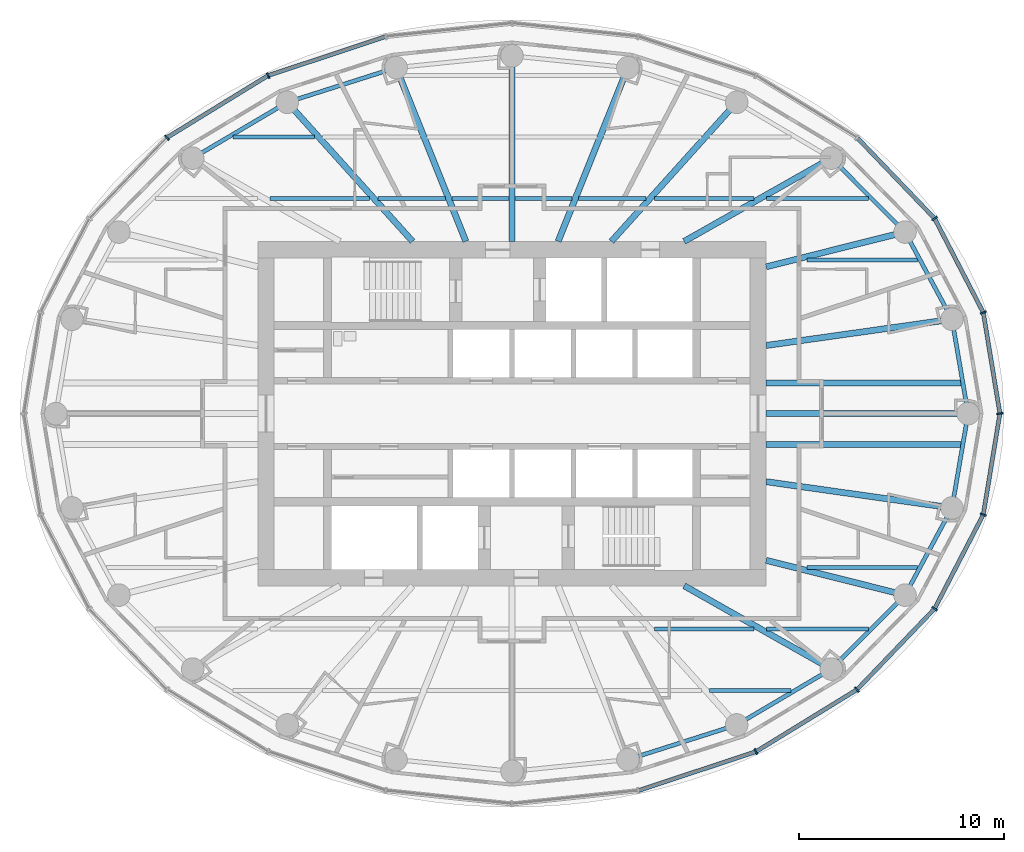
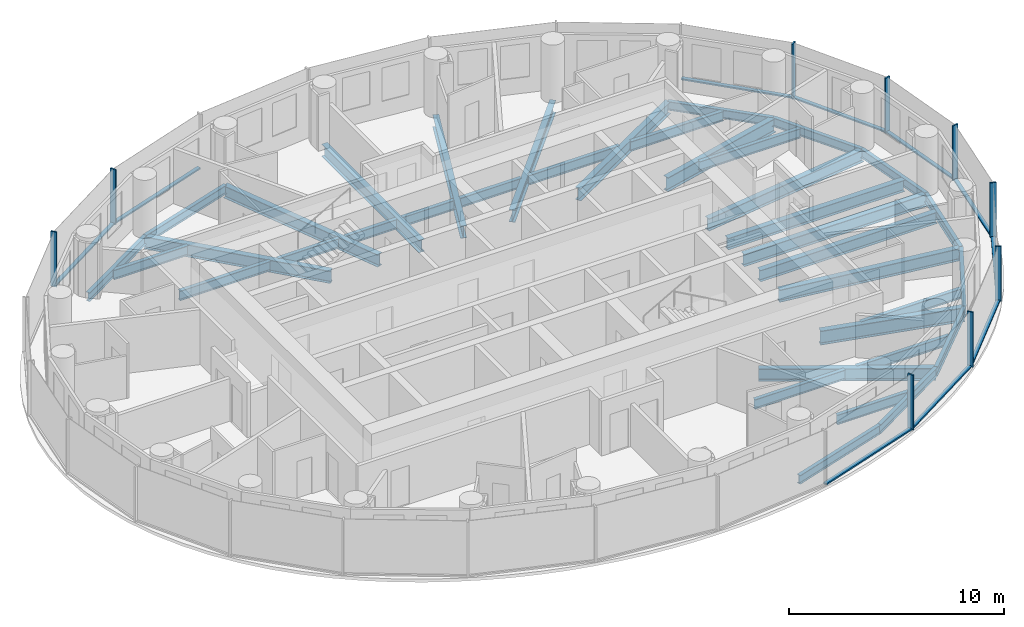
# One storey, part 3 of 16: 37 beams, 19 members, 3 elements without a shape of their own.
"""IFC4 building model written with IfcOpenShell, lengths in metres."""

import ifcopenshell
import ifcopenshell.guid

model = None  # the IFC model being written
_history = None  # IfcOwnerHistory: only IFC2X3 demands one
_inside = {}  # id of a spatial element -> (the spatial element, [elements in it])
_under = {}  # id of a project, library or spatial element -> (it, [spatial elements below it])
_declared = {}  # id of a project -> (the project, [libraries it declares])
_typed = {}  # id of a type object -> (the type object, [elements of that type])
_made_of = {}  # id of a material, layer set ... -> (it, [elements and type objects made of it])


def new_model(schema):
    """Start an empty IFC model of exactly this schema.

    Asked for "IFC4X3", IfcOpenShell would pick the latest addendum, in which some entities
    have other attributes; the version numbers below select the first issue.
    IFC2X3 requires an IfcOwnerHistory on every rooted entity: one is made here for all.
    """
    global model, _history
    if schema == "IFC4X3":
        model = ifcopenshell.file(schema_version=(4, 3, 0, 0))
    else:
        model = ifcopenshell.file(schema=schema)
    _inside.clear()
    _under.clear()
    _declared.clear()
    _typed.clear()
    _made_of.clear()
    _history = None
    if model.schema == "IFC2X3":
        org = make("IfcOrganization", Name="unknown")
        user = make(
            "IfcPersonAndOrganization",
            ThePerson=make("IfcPerson", FamilyName="unknown"),
            TheOrganization=org,
        )
        app = make(
            "IfcApplication",
            ApplicationDeveloper=org,
            Version="unknown",
            ApplicationFullName="unknown",
            ApplicationIdentifier="unknown",
        )
        _history = make(
            "IfcOwnerHistory",
            OwningUser=user,
            OwningApplication=app,
            ChangeAction="ADDED",
            CreationDate=0,
        )
    return model


def make(cls, **values):
    """One entity of the class cls with the attributes given. An attribute that is None is left unset."""
    return model.create_entity(
        cls, **{name: value for name, value in values.items() if value is not None}
    )


def rooted(cls, **values):
    """An entity with a GlobalId (a new one), such as an element, a storey or a relation."""
    return make(cls, GlobalId=ifcopenshell.guid.new(), OwnerHistory=_history, **values)


def si_unit(unit_type, name, prefix=None):
    """IfcSIUnit, for example si_unit("LENGTHUNIT", "METRE", prefix="MILLI")."""
    return make("IfcSIUnit", UnitType=unit_type, Prefix=prefix, Name=name)


def assignment(units):
    """IfcUnitAssignment: the units of a project."""
    return None if units is None else make("IfcUnitAssignment", Units=units)


def point(xyz):
    """IfcCartesianPoint."""
    return None if xyz is None else make("IfcCartesianPoint", Coordinates=xyz)


def direction(xyz):
    """IfcDirection."""
    return None if xyz is None else make("IfcDirection", DirectionRatios=xyz)


def frame(location, z_axis=None, x_axis=None):
    """IfcAxis2Placement3D, a coordinate frame: its origin and axes. An axis left out is left unset."""
    return make(
        "IfcAxis2Placement3D",
        Location=point(location),
        Axis=direction(z_axis),
        RefDirection=direction(x_axis),
    )


def frame_2d(location, x_axis=None):
    """IfcAxis2Placement2D, a coordinate frame in the plane: its origin and x axis."""
    return make(
        "IfcAxis2Placement2D", Location=point(location), RefDirection=direction(x_axis)
    )


def origin():
    """The frame at (0, 0, 0) with its axes left unset."""
    return frame((0.0, 0.0, 0.0))


def origin_2d():
    """The frame at (0, 0) in the plane with its x axis left unset."""
    return frame_2d((0.0, 0.0))


def place(relative_to, where):
    """IfcLocalPlacement: puts the frame where relative to a parent placement (None: the world)."""
    return make(
        "IfcLocalPlacement", PlacementRelTo=relative_to, RelativePlacement=where
    )


def context(
    kind, dimensions, precision=None, world=None, true_north=None, identifier=None
):
    """IfcGeometricRepresentationContext, for example the 3D "Model" context."""
    return make(
        "IfcGeometricRepresentationContext",
        ContextIdentifier=identifier,
        ContextType=kind,
        CoordinateSpaceDimension=dimensions,
        Precision=precision,
        WorldCoordinateSystem=world,
        TrueNorth=true_north,
    )


def subcontext(parent, identifier, kind, view, scale=None):
    """IfcGeometricRepresentationSubContext, for example "Body" below "Model"."""
    return make(
        "IfcGeometricRepresentationSubContext",
        ContextIdentifier=identifier,
        ContextType=kind,
        ParentContext=parent,
        TargetScale=scale,
        TargetView=view,
    )


def project(units=None, contexts=None):
    """IfcProject with its units and contexts."""
    return rooted(
        "IfcProject",
        Name="project",
        RepresentationContexts=contexts,
        UnitsInContext=assignment(units),
    )


def spatial(cls, under=None, at=None, **own):
    """A site, building, storey or space (cls), placed at a placement, below another one or the project."""
    s = rooted(cls, ObjectPlacement=at, **own)
    if under is not None:
        _under.setdefault(under.id(), (under, []))[1].append(s)
    return s


def profile(cls, at=None, kind="AREA", **sizes):
    """A parametric profile (cls). Its sizes go by their IFC names, for example OverallWidth=200.0."""
    return make(cls, ProfileType=kind, Position=at, **sizes)


def rectangle(**sizes):
    """IfcRectangleProfileDef."""
    return profile("IfcRectangleProfileDef", **sizes)


def i_section(**sizes):
    """IfcIShapeProfileDef."""
    return profile("IfcIShapeProfileDef", **sizes)


def extrude(swept, where, along, depth):
    """IfcExtrudedAreaSolid: the profile swept, set in the frame where, extruded along a direction by depth."""
    return make(
        "IfcExtrudedAreaSolid",
        SweptArea=swept,
        Position=where,
        ExtrudedDirection=direction(along),
        Depth=depth,
    )


def shape(context_of_items, identifier, shape_type, items):
    """IfcShapeRepresentation: the items that make up one representation, for example the "Body"."""
    return make(
        "IfcShapeRepresentation",
        ContextOfItems=context_of_items,
        RepresentationIdentifier=identifier,
        RepresentationType=shape_type,
        Items=items,
    )


def material(Name=None, Category=None):
    """IfcMaterial."""
    return make("IfcMaterial", Name=Name, Category=Category)


def material_profile(
    of_material, cross_section, Name=None, Category=None, Priority=None
):
    """IfcMaterialProfile: a cross section and its material."""
    return make(
        "IfcMaterialProfile",
        Name=Name,
        Material=of_material,
        Profile=cross_section,
        Priority=Priority,
        Category=Category,
    )


def profile_set(profiles, Name=None, composite=None):
    """IfcMaterialProfileSet."""
    return make(
        "IfcMaterialProfileSet",
        Name=Name,
        MaterialProfiles=profiles,
        CompositeProfile=composite,
    )


def made_of(thing, what):
    """Note that an element or type object is made of a material, layer set ...; save() writes the relation."""
    if what is not None:
        _made_of.setdefault(what.id(), (what, []))[1].append(thing)
    return thing


def type_object(cls, material=None, **own):
    """A type object (cls), such as IfcWallType, which elements share."""
    return made_of(rooted(cls, **own), material)


def element(
    cls,
    number,
    at=None,
    inside=None,
    cuts=None,
    type_object=None,
    material=None,
    context=None,
    identifier="Body",
    shape_type=None,
    held_by="IfcProductDefinitionShape",
    body=None,
    shapes=None,
    **own,
):
    """One element of the class cls, such as IfcWall. Its Tag is "e" and its number.

    at: its placement. inside: the storey or other place that contains it. cuts: it is an
    opening in that element (IfcRelVoidsElement). A single representation is given by context,
    identifier, shape_type and body (its items); several are given by shapes. held_by: the class
    of the entity that holds the representations. save() writes the other relations.
    """
    e = rooted(cls, Tag="e%d" % number, ObjectPlacement=at, **own)
    if body is not None:
        shapes = [shape(context, identifier, shape_type, body)]
    if shapes is not None:
        e.Representation = make(held_by, Representations=shapes)
    if inside is not None:
        _inside.setdefault(inside.id(), (inside, []))[1].append(e)
    if cuts is not None:
        rooted(
            "IfcRelVoidsElement", RelatingBuildingElement=cuts, RelatedOpeningElement=e
        )
    if type_object is not None:
        _typed.setdefault(type_object.id(), (type_object, []))[1].append(e)
    return made_of(e, material)


def aggregate(whole, parts):
    """IfcRelAggregates: a whole, such as a stair, and the parts it consists of."""
    return rooted("IfcRelAggregates", RelatingObject=whole, RelatedObjects=parts)


def save(model, path):
    """Write the relations noted so far, then the file.

    IfcRelAggregates (storeys below a building ...), IfcRelContainedInSpatialStructure (elements
    in a storey), IfcRelDefinesByType, IfcRelAssociatesMaterial and IfcRelDeclares: one each for
    every whole, place, type object, material and project.
    """
    for whole, parts in _under.values():
        aggregate(whole, parts)
    for where, things in _inside.values():
        rooted(
            "IfcRelContainedInSpatialStructure",
            RelatedElements=things,
            RelatingStructure=where,
        )
    for kind, things in _typed.values():
        rooted("IfcRelDefinesByType", RelatedObjects=things, RelatingType=kind)
    for what, things in _made_of.values():
        rooted("IfcRelAssociatesMaterial", RelatedObjects=things, RelatingMaterial=what)
    for by, libraries in _declared.values():
        rooted("IfcRelDeclares", RelatingContext=by, RelatedDefinitions=libraries)
    model.write(path)


model = new_model("IFC4")

# Units and contexts
model_context = context("Model", 3, precision=1e-05, world=origin(), true_north=direction((0.0, 1.0)))
body_context = subcontext(model_context, "Body", "Model", "MODEL_VIEW")
ifc_project = project(units=[si_unit("LENGTHUNIT", "METRE"), si_unit("AREAUNIT", "SQUARE_METRE"), si_unit("VOLUMEUNIT", "CUBIC_METRE"), si_unit("PLANEANGLEUNIT", "RADIAN"), si_unit("MASSUNIT", "GRAM", prefix="KILO")], contexts=[model_context])

# Site, building, storey
site_placement = place(None, origin())
site = spatial("IfcSite", under=ifc_project, at=site_placement, CompositionType="ELEMENT")
building_placement = place(site_placement, origin())
building = spatial("IfcBuilding", under=site, at=building_placement, Name="Hankou Lantern Tower", CompositionType="ELEMENT")
storey_placement = place(building_placement, frame((0.0, 0.0, 153.300048828125)))
storey = spatial("IfcBuildingStorey", under=building, at=storey_placement, Name="L40", CompositionType="ELEMENT", Elevation=153.300048828125)

# Beams
ifc_material_1 = material(Name="Steel Q355B", Category="steel")
ifc_material_profile_1 = material_profile(ifc_material_1, i_section(OverallWidth=0.199951171875, OverallDepth=0.5, WebThickness=0.010009765625, FlangeThickness=0.01611328125, FilletRadius=0.012939453125, at=origin_2d()), Name="HN500x200x10x16")
ifc_profile_set_1 = profile_set([ifc_material_profile_1], Name="Steel Q355B")
beam_type_1 = type_object("IfcBeamType", Name="EB5 RING BEAM HN500x200x10x16", PredefinedType="SPANDREL", material=ifc_profile_set_1)
beam_1_placement = place(storey_placement, frame((22.25, 0.0, -0.429931640625), z_axis=(-0.168680718946, 0.985670743735, 0.0), x_axis=(-0.985670743735, -0.168680718946, 0.0)))
element("IfcBeam", 1, at=beam_1_placement, inside=storey, type_object=beam_type_1, Name="Ring beam R01-R02 L40", PredefinedType="SPANDREL", context=body_context, shape_type="SweptSolid", body=[
    extrude(i_section(OverallWidth=0.199951171875, OverallDepth=0.5, WebThickness=0.010009765625, FlangeThickness=0.01611328125, FilletRadius=0.012939453125, at=origin_2d()), origin(), (0.0, 0.0, 1.0), 4.667724609375),
])
beam_2_placement = place(storey_placement, frame((21.462646484375, 4.600830078125, -0.429931640625), z_axis=(-0.474051612334, 0.880497057828, 0.0), x_axis=(-0.880497057828, -0.474051612334, 0.0)))
element("IfcBeam", 2, at=beam_2_placement, inside=storey, type_object=beam_type_1, Name="Ring beam R02-R03 L40", PredefinedType="SPANDREL", context=body_context, shape_type="SweptSolid", body=[
    extrude(i_section(OverallWidth=0.199951171875, OverallDepth=0.5, WebThickness=0.010009765625, FlangeThickness=0.01611328125, FilletRadius=0.012939453125, at=origin_2d()), origin(), (0.0, 0.0, 1.0), 4.831787109375),
])
beam_3_placement = place(storey_placement, frame((19.172119140625, 8.855224609375, -0.429931640625), z_axis=(-0.706147278092, 0.708064984054, 0.0), x_axis=(-0.708064984054, -0.706147278092, 0.0)))
element("IfcBeam", 3, at=beam_3_placement, inside=storey, type_object=beam_type_1, Name="Ring beam R03-R04 L40", PredefinedType="SPANDREL", context=body_context, shape_type="SweptSolid", body=[
    extrude(i_section(OverallWidth=0.199951171875, OverallDepth=0.5, WebThickness=0.010009765625, FlangeThickness=0.01611328125, FilletRadius=0.012939453125, at=origin_2d()), origin(), (0.0, 0.0, 1.0), 5.09228515625),
])
beam_4_placement = place(storey_placement, frame((-5.65283203125, 16.87744140625, -0.429931640625), z_axis=(-0.952790404271, -0.30362879562, 0.0), x_axis=(0.30362879562, -0.952790404271, 0.0)))
element("IfcBeam", 4, at=beam_4_placement, inside=storey, type_object=beam_type_1, Name="Ring beam R08-R09 L40", PredefinedType="SPANDREL", context=body_context, shape_type="SweptSolid", body=[
    extrude(i_section(OverallWidth=0.199951171875, OverallDepth=0.5, WebThickness=0.010009765625, FlangeThickness=0.01611328125, FilletRadius=0.012939453125, at=origin_2d()), origin(), (0.0, 0.0, 1.0), 5.56982421875),
])
beam_5_placement = place(storey_placement, frame((-10.959716796875, 15.186279296875, -0.429931640625), z_axis=(-0.861135888339, -0.508374843806, 0.0), x_axis=(0.508374843806, -0.861135888339, 0.0)))
element("IfcBeam", 5, at=beam_5_placement, inside=storey, type_object=beam_type_1, Name="Ring beam R09-R10 L40", PredefinedType="SPANDREL", context=body_context, shape_type="SweptSolid", body=[
    extrude(i_section(OverallWidth=0.199951171875, OverallDepth=0.5, WebThickness=0.010009765625, FlangeThickness=0.01611328125, FilletRadius=0.012939453125, at=origin_2d()), origin(), (0.0, 0.0, 1.0), 5.36083984375),
])
beam_6_placement = place(storey_placement, frame((5.65283203125, -16.87744140625, -0.429931640625), z_axis=(0.952790404271, 0.30362879562, 0.0), x_axis=(-0.30362879562, 0.952790404271, 0.0)))
element("IfcBeam", 6, at=beam_6_placement, inside=storey, type_object=beam_type_1, Name="Ring beam R20-R21 L40", PredefinedType="SPANDREL", context=body_context, shape_type="SweptSolid", body=[
    extrude(i_section(OverallWidth=0.199951171875, OverallDepth=0.5, WebThickness=0.010009765625, FlangeThickness=0.01611328125, FilletRadius=0.012939453125, at=origin_2d()), origin(), (0.0, 0.0, 1.0), 5.56982421875),
])
beam_7_placement = place(storey_placement, frame((10.959716796875, -15.186279296875, -0.429931640625), z_axis=(0.861135888339, 0.508374843806, 0.0), x_axis=(-0.508374843806, 0.861135888339, 0.0)))
element("IfcBeam", 7, at=beam_7_placement, inside=storey, type_object=beam_type_1, Name="Ring beam R21-R22 L40", PredefinedType="SPANDREL", context=body_context, shape_type="SweptSolid", body=[
    extrude(i_section(OverallWidth=0.199951171875, OverallDepth=0.5, WebThickness=0.010009765625, FlangeThickness=0.01611328125, FilletRadius=0.012939453125, at=origin_2d()), origin(), (0.0, 0.0, 1.0), 5.36083984375),
])
beam_8_placement = place(storey_placement, frame((15.576171875, -12.4609375, -0.429931640625), z_axis=(0.706147278092, 0.708064984054, 0.0), x_axis=(-0.708064984054, 0.706147278092, 0.0)))
element("IfcBeam", 8, at=beam_8_placement, inside=storey, type_object=beam_type_1, Name="Ring beam R22-R23 L40", PredefinedType="SPANDREL", context=body_context, shape_type="SweptSolid", body=[
    extrude(i_section(OverallWidth=0.199951171875, OverallDepth=0.5, WebThickness=0.010009765625, FlangeThickness=0.01611328125, FilletRadius=0.012939453125, at=origin_2d()), origin(), (0.0, 0.0, 1.0), 5.09228515625),
])
beam_9_placement = place(storey_placement, frame((19.172119140625, -8.855224609375, -0.429931640625), z_axis=(0.474051612334, 0.880497057828, 0.0), x_axis=(-0.880497057828, 0.474051612334, 0.0)))
element("IfcBeam", 9, at=beam_9_placement, inside=storey, type_object=beam_type_1, Name="Ring beam R23-R24 L40", PredefinedType="SPANDREL", context=body_context, shape_type="SweptSolid", body=[
    extrude(i_section(OverallWidth=0.199951171875, OverallDepth=0.5, WebThickness=0.010009765625, FlangeThickness=0.01611328125, FilletRadius=0.012939453125, at=origin_2d()), origin(), (0.0, 0.0, 1.0), 4.831787109375),
])
beam_10_placement = place(storey_placement, frame((21.462646484375, -4.600830078125, -0.429931640625), z_axis=(0.168680718946, 0.985670743735, 0.0), x_axis=(-0.985670743735, 0.168680718946, 0.0)))
element("IfcBeam", 10, at=beam_10_placement, inside=storey, type_object=beam_type_1, Name="Ring beam R24-R01 L40", PredefinedType="SPANDREL", context=body_context, shape_type="SweptSolid", body=[
    extrude(i_section(OverallWidth=0.199951171875, OverallDepth=0.5, WebThickness=0.010009765625, FlangeThickness=0.01611328125, FilletRadius=0.012939453125, at=origin_2d()), origin(), (0.0, 0.0, 1.0), 4.667724609375),
])

# Curtain wall, members
ifc_material_2 = material(Name="Glass, dark grey tinted laminated", Category="glass")
curtain_wall_type = type_object("IfcCurtainWallType", Name="CWC OUTER SKIN HIGH-RISE", PredefinedType="USERDEFINED", material=ifc_material_2)
curtain_wall_1_placement = place(storey_placement, origin())
curtain_wall_1 = element("IfcCurtainWall", 11, at=curtain_wall_1_placement, inside=storey, type_object=curtain_wall_type, Name="CWC L40 OS1", ObjectType="OUTER SKIN HIGH-RISE", PredefinedType="USERDEFINED")
ifc_material_3 = material(Name="Aluminium, black anodised", Category="aluminium")
ifc_material_profile_2 = material_profile(ifc_material_3, rectangle(XDim=0.080078125, YDim=0.300048828125, at=origin_2d()), Name="MU1 80X300")
ifc_profile_set_2 = profile_set([ifc_material_profile_2], Name="Aluminium, black anodised")
member_type_1 = type_object("IfcMemberType", Name="MU1 OUTER SKIN MULLION 80X300", PredefinedType="MULLION", material=ifc_profile_set_2)
member_1_placement = place(storey_placement, frame((23.800048828125, 0.0, 0.0), z_axis=(0.0, 0.0, 1.0), x_axis=(-0.162381515188, 0.986728049427, 0.0)))
member_1 = element("IfcMember", 12, at=member_1_placement, type_object=member_type_1, Name="CWC mullion 1", PredefinedType="MULLION", context=body_context, shape_type="SweptSolid", body=[
    extrude(rectangle(XDim=0.080078125, YDim=0.300048828125, at=origin_2d()), origin(), (0.0, 0.0, 1.0), 3.119873046875),
])
member_2_placement = place(storey_placement, frame((22.989013671875, 4.927978515625, 0.0), z_axis=(0.0, 0.0, 1.0), x_axis=(-0.317595577365, 0.94822626479, 0.0)))
member_2 = element("IfcMember", 13, at=member_2_placement, type_object=member_type_1, Name="CWC mullion 2", PredefinedType="MULLION", context=body_context, shape_type="SweptSolid", body=[
    extrude(rectangle(XDim=0.080078125, YDim=0.300048828125, at=origin_2d()), origin(), (0.0, 0.0, 1.0), 3.119873046875),
])
member_3_placement = place(storey_placement, frame((20.611328125, 9.52001953125, 0.0), z_axis=(0.0, 0.0, 1.0), x_axis=(-0.585205735974, 0.810884854084, 0.0)))
member_3 = element("IfcMember", 14, at=member_3_placement, type_object=member_type_1, Name="CWC mullion 3", PredefinedType="MULLION", context=body_context, shape_type="SweptSolid", body=[
    extrude(rectangle(XDim=0.080078125, YDim=0.300048828125, at=origin_2d()), origin(), (0.0, 0.0, 1.0), 3.119873046875),
])

curtain_wall_2_placement = place(storey_placement, origin())
curtain_wall_2 = element("IfcCurtainWall", 15, at=curtain_wall_2_placement, inside=storey, type_object=curtain_wall_type, Name="CWC L40 OS2", ObjectType="OUTER SKIN HIGH-RISE", PredefinedType="USERDEFINED")
member_4_placement = place(storey_placement, frame((-11.89990234375, 16.489013671875, 0.0), z_axis=(0.0, 0.0, 1.0), x_axis=(-0.907841299004, -0.419313934686, 0.0)))
member_4 = element("IfcMember", 16, at=member_4_placement, type_object=member_type_1, Name="CWC mullion 3", PredefinedType="MULLION", context=body_context, shape_type="SweptSolid", body=[
    extrude(rectangle(XDim=0.080078125, YDim=0.300048828125, at=origin_2d()), origin(), (0.0, 0.0, 1.0), 3.119873046875),
])
member_5_placement = place(storey_placement, frame((-16.8291015625, 13.46337890625, 0.0), z_axis=(0.0, 0.0, 1.0), x_axis=(-0.780868809444, -0.624695047553, 0.0)))
member_5 = element("IfcMember", 17, at=member_5_placement, type_object=member_type_1, Name="CWC mullion 4", PredefinedType="MULLION", context=body_context, shape_type="SweptSolid", body=[
    extrude(rectangle(XDim=0.080078125, YDim=0.300048828125, at=origin_2d()), origin(), (0.0, 0.0, 1.0), 3.119873046875),
])

curtain_wall_3_placement = place(storey_placement, origin())
curtain_wall_3 = element("IfcCurtainWall", 18, at=curtain_wall_3_placement, inside=storey, type_object=curtain_wall_type, Name="CWC L40 OS4", ObjectType="OUTER SKIN HIGH-RISE", PredefinedType="USERDEFINED")
member_6_placement = place(storey_placement, frame((11.89990234375, -16.489013671875, 0.0), z_axis=(0.0, 0.0, 1.0), x_axis=(0.907841299004, 0.419313934686, 0.0)))
member_6 = element("IfcMember", 19, at=member_6_placement, type_object=member_type_1, Name="CWC mullion 3", PredefinedType="MULLION", context=body_context, shape_type="SweptSolid", body=[
    extrude(rectangle(XDim=0.080078125, YDim=0.300048828125, at=origin_2d()), origin(), (0.0, 0.0, 1.0), 3.119873046875),
])
member_7_placement = place(storey_placement, frame((16.8291015625, -13.46337890625, 0.0), z_axis=(0.0, 0.0, 1.0), x_axis=(0.780868809444, 0.624695047553, 0.0)))
member_7 = element("IfcMember", 20, at=member_7_placement, type_object=member_type_1, Name="CWC mullion 4", PredefinedType="MULLION", context=body_context, shape_type="SweptSolid", body=[
    extrude(rectangle(XDim=0.080078125, YDim=0.300048828125, at=origin_2d()), origin(), (0.0, 0.0, 1.0), 3.119873046875),
])
member_8_placement = place(storey_placement, frame((20.611328125, -9.52001953125, 0.0), z_axis=(0.0, 0.0, 1.0), x_axis=(0.585205735974, 0.810884854084, 0.0)))
member_8 = element("IfcMember", 21, at=member_8_placement, type_object=member_type_1, Name="CWC mullion 5", PredefinedType="MULLION", context=body_context, shape_type="SweptSolid", body=[
    extrude(rectangle(XDim=0.080078125, YDim=0.300048828125, at=origin_2d()), origin(), (0.0, 0.0, 1.0), 3.119873046875),
])
member_9_placement = place(storey_placement, frame((22.989013671875, -4.927978515625, 0.0), z_axis=(0.0, 0.0, 1.0), x_axis=(0.317595577365, 0.94822626479, 0.0)))
member_9 = element("IfcMember", 22, at=member_9_placement, type_object=member_type_1, Name="CWC mullion 6", PredefinedType="MULLION", context=body_context, shape_type="SweptSolid", body=[
    extrude(rectangle(XDim=0.080078125, YDim=0.300048828125, at=origin_2d()), origin(), (0.0, 0.0, 1.0), 3.119873046875),
])

# Beams
ifc_material_4 = material(Name="Steel Q355B", Category="steel")
ifc_material_profile_3 = material_profile(ifc_material_4, i_section(OverallWidth=0.300048828125, OverallDepth=0.800048828125, WebThickness=0.013916015625, FlangeThickness=0.02587890625, FilletRadius=0.01806640625, at=origin_2d()), Name="HN800x300x14x26")
ifc_profile_set_3 = profile_set([ifc_material_profile_3], Name="Steel Q355B")
beam_type_2 = type_object("IfcBeamType", Name="RB11 RADIAL BEAM HN800x300x14x26", PredefinedType="BEAM", material=ifc_profile_set_3)
for number, where, z_axis, x_axis, name in (
    (23, (12.39990234375, 7.1591796875, -0.580078125), (0.970041619568, 0.242938791274, 0.0), (-0.242938791274, 0.970041619568, 0.0), "Radial beam R03 L40"),
    (24, (12.39990234375, -7.1591796875, -0.580078125), (0.970041619568, -0.242938791274, 0.0), (0.242938791274, 0.970041619568, 0.0), "Radial beam R23 L40"),
):
    element("IfcBeam", number, at=place(storey_placement, frame(where, z_axis=z_axis, x_axis=x_axis)), inside=storey, type_object=beam_type_2, Name=name, PredefinedType="BEAM", context=body_context, shape_type="SweptSolid", body=[
        extrude(i_section(OverallWidth=0.300048828125, OverallDepth=0.800048828125, WebThickness=0.013916015625, FlangeThickness=0.02587890625, FilletRadius=0.01806640625, at=origin_2d()), origin(), (0.0, 0.0, 1.0), 6.9814453125),
    ])
ifc_material_5 = material(Name="Steel Q355B", Category="steel")
ifc_material_profile_4 = material_profile(ifc_material_5, i_section(OverallWidth=0.300048828125, OverallDepth=0.699951171875, WebThickness=0.012939453125, FlangeThickness=0.02392578125, FilletRadius=0.01806640625, at=origin_2d()), Name="HN700x300x13x24")
ifc_profile_set_4 = profile_set([ifc_material_profile_4], Name="Steel Q355B")
beam_type_3 = type_object("IfcBeamType", Name="RB9 RADIAL BEAM HN700x300x13x24", PredefinedType="BEAM", material=ifc_profile_set_4)
beam_11_placement = place(storey_placement, frame((12.39990234375, 0.0, -0.530029296875), z_axis=(1.0, 0.0, 0.0), x_axis=(0.0, 1.0, 0.0)))
element("IfcBeam", 25, at=beam_11_placement, inside=storey, type_object=beam_type_3, Name="Radial beam R01 L40", PredefinedType="BEAM", context=body_context, shape_type="SweptSolid", body=[
    extrude(i_section(OverallWidth=0.300048828125, OverallDepth=0.699951171875, WebThickness=0.012939453125, FlangeThickness=0.02392578125, FilletRadius=0.01806640625, at=origin_2d()), origin(), (0.0, 0.0, 1.0), 9.85009765625),
])
beam_12_placement = place(storey_placement, frame((12.39990234375, 3.322509765625, -0.530029296875), z_axis=(0.990198154617, 0.13966966239, 0.0), x_axis=(-0.13966966239, 0.990198154617, 0.0)))
element("IfcBeam", 26, at=beam_12_placement, inside=storey, type_object=beam_type_3, Name="Radial beam R02 L40", PredefinedType="BEAM", context=body_context, shape_type="SweptSolid", body=[
    extrude(i_section(OverallWidth=0.300048828125, OverallDepth=0.699951171875, WebThickness=0.012939453125, FlangeThickness=0.02392578125, FilletRadius=0.01806640625, at=origin_2d()), origin(), (0.0, 0.0, 1.0), 9.15234375),
])
beam_13_placement = place(storey_placement, frame((8.39990234375, 8.39990234375, -0.530029296875), z_axis=(0.870309058024, 0.492505983234, 0.0), x_axis=(-0.492505983234, 0.870309058024, 0.0)))
element("IfcBeam", 27, at=beam_13_placement, inside=storey, type_object=beam_type_3, Name="Radial beam R04 L40", PredefinedType="BEAM", context=body_context, shape_type="SweptSolid", body=[
    extrude(i_section(OverallWidth=0.300048828125, OverallDepth=0.699951171875, WebThickness=0.012939453125, FlangeThickness=0.02392578125, FilletRadius=0.01806640625, at=origin_2d()), origin(), (0.0, 0.0, 1.0), 8.24560546875),
])
beam_14_placement = place(storey_placement, frame((4.849853515625, 8.39990234375, -0.530029296875), z_axis=(0.669093231314, 0.743178476418, 0.0), x_axis=(-0.743178476418, 0.669093231314, 0.0)))
element("IfcBeam", 28, at=beam_14_placement, inside=storey, type_object=beam_type_3, Name="Radial beam R05 L40", PredefinedType="BEAM", context=body_context, shape_type="SweptSolid", body=[
    extrude(i_section(OverallWidth=0.300048828125, OverallDepth=0.699951171875, WebThickness=0.012939453125, FlangeThickness=0.02392578125, FilletRadius=0.01806640625, at=origin_2d()), origin(), (0.0, 0.0, 1.0), 9.131591796875),
])
beam_15_placement = place(storey_placement, frame((2.250732421875, 8.39990234375, -0.530029296875), z_axis=(0.372436468133, 0.928057690666, 0.0), x_axis=(-0.928057690666, 0.372436468133, 0.0)))
element("IfcBeam", 29, at=beam_15_placement, inside=storey, type_object=beam_type_3, Name="Radial beam R06 L40", PredefinedType="BEAM", context=body_context, shape_type="SweptSolid", body=[
    extrude(i_section(OverallWidth=0.300048828125, OverallDepth=0.699951171875, WebThickness=0.012939453125, FlangeThickness=0.02392578125, FilletRadius=0.01806640625, at=origin_2d()), origin(), (0.0, 0.0, 1.0), 9.134765625),
])
beam_16_placement = place(storey_placement, frame((0.0, 8.39990234375, -0.530029296875), z_axis=(0.0, 1.0, 0.0), x_axis=(-1.0, 0.0, 0.0)))
element("IfcBeam", 30, at=beam_16_placement, inside=storey, type_object=beam_type_3, Name="Radial beam R07 L40", PredefinedType="BEAM", context=body_context, shape_type="SweptSolid", body=[
    extrude(i_section(OverallWidth=0.300048828125, OverallDepth=0.699951171875, WebThickness=0.012939453125, FlangeThickness=0.02392578125, FilletRadius=0.01806640625, at=origin_2d()), origin(), (0.0, 0.0, 1.0), 9.050048828125),
])
beam_17_placement = place(storey_placement, frame((-2.250732421875, 8.39990234375, -0.530029296875), z_axis=(-0.372436468133, 0.928057690666, 0.0), x_axis=(-0.928057690666, -0.372436468133, 0.0)))
element("IfcBeam", 31, at=beam_17_placement, inside=storey, type_object=beam_type_3, Name="Radial beam R08 L40", PredefinedType="BEAM", context=body_context, shape_type="SweptSolid", body=[
    extrude(i_section(OverallWidth=0.300048828125, OverallDepth=0.699951171875, WebThickness=0.012939453125, FlangeThickness=0.02392578125, FilletRadius=0.01806640625, at=origin_2d()), origin(), (0.0, 0.0, 1.0), 9.134765625),
])
beam_18_placement = place(storey_placement, frame((-4.849853515625, 8.39990234375, -0.530029296875), z_axis=(-0.669093231314, 0.743178476418, 0.0), x_axis=(-0.743178476418, -0.669093231314, 0.0)))
element("IfcBeam", 32, at=beam_18_placement, inside=storey, type_object=beam_type_3, Name="Radial beam R09 L40", PredefinedType="BEAM", context=body_context, shape_type="SweptSolid", body=[
    extrude(i_section(OverallWidth=0.300048828125, OverallDepth=0.699951171875, WebThickness=0.012939453125, FlangeThickness=0.02392578125, FilletRadius=0.01806640625, at=origin_2d()), origin(), (0.0, 0.0, 1.0), 9.131591796875),
])
beam_19_placement = place(storey_placement, frame((8.39990234375, -8.39990234375, -0.530029296875), z_axis=(0.870309058024, -0.492505983234, 0.0), x_axis=(0.492505983234, 0.870309058024, 0.0)))
element("IfcBeam", 33, at=beam_19_placement, inside=storey, type_object=beam_type_3, Name="Radial beam R22 L40", PredefinedType="BEAM", context=body_context, shape_type="SweptSolid", body=[
    extrude(i_section(OverallWidth=0.300048828125, OverallDepth=0.699951171875, WebThickness=0.012939453125, FlangeThickness=0.02392578125, FilletRadius=0.01806640625, at=origin_2d()), origin(), (0.0, 0.0, 1.0), 8.24560546875),
])
beam_20_placement = place(storey_placement, frame((12.39990234375, -3.322509765625, -0.530029296875), z_axis=(0.990198154617, -0.13966966239, 0.0), x_axis=(0.13966966239, 0.990198154617, 0.0)))
element("IfcBeam", 34, at=beam_20_placement, inside=storey, type_object=beam_type_3, Name="Radial beam R24 L40", PredefinedType="BEAM", context=body_context, shape_type="SweptSolid", body=[
    extrude(i_section(OverallWidth=0.300048828125, OverallDepth=0.699951171875, WebThickness=0.012939453125, FlangeThickness=0.02392578125, FilletRadius=0.01806640625, at=origin_2d()), origin(), (0.0, 0.0, 1.0), 9.15234375),
])
ifc_material_6 = material(Name="Steel Q355B", Category="steel")
ifc_material_profile_5 = material_profile(ifc_material_6, i_section(OverallWidth=0.199951171875, OverallDepth=0.550048828125, WebThickness=0.010009765625, FlangeThickness=0.01611328125, FilletRadius=0.012939453125, at=origin_2d()), Name="HN550x200x10x16")
ifc_profile_set_5 = profile_set([ifc_material_profile_5], Name="Steel Q355B")
beam_type_4 = type_object("IfcBeamType", Name="SB6 SECONDARY BEAM HN550x200x10x16", PredefinedType="JOIST", material=ifc_profile_set_5)
beam_21_placement = place(storey_placement, frame((9.643310546875, -13.5, -0.455078125), z_axis=(1.0, 0.0, 0.0), x_axis=(0.0, 1.0, 0.0)))
element("IfcBeam", 35, at=beam_21_placement, inside=storey, type_object=beam_type_4, Name="Floor joist J006 L40", PredefinedType="JOIST", context=body_context, shape_type="SweptSolid", body=[
    extrude(i_section(OverallWidth=0.199951171875, OverallDepth=0.550048828125, WebThickness=0.010009765625, FlangeThickness=0.01611328125, FilletRadius=0.012939453125, at=origin_2d()), origin(), (0.0, 0.0, 1.0), 3.97607421875),
])
beam_22_placement = place(storey_placement, frame((6.9423828125, -10.5, -0.455078125), z_axis=(1.0, 0.0, 0.0), x_axis=(0.0, 1.0, 0.0)))
element("IfcBeam", 36, at=beam_22_placement, inside=storey, type_object=beam_type_4, Name="Floor joist J013 L40", PredefinedType="JOIST", context=body_context, shape_type="SweptSolid", body=[
    extrude(i_section(OverallWidth=0.199951171875, OverallDepth=0.550048828125, WebThickness=0.010009765625, FlangeThickness=0.01611328125, FilletRadius=0.012939453125, at=origin_2d()), origin(), (0.0, 0.0, 1.0), 4.864013671875),
])
beam_23_placement = place(storey_placement, frame((12.41552734375, -10.5, -0.455078125), z_axis=(1.0, 0.0, 0.0), x_axis=(0.0, 1.0, 0.0)))
element("IfcBeam", 37, at=beam_23_placement, inside=storey, type_object=beam_type_4, Name="Floor joist J014 L40", PredefinedType="JOIST", context=body_context, shape_type="SweptSolid", body=[
    extrude(i_section(OverallWidth=0.199951171875, OverallDepth=0.550048828125, WebThickness=0.010009765625, FlangeThickness=0.01611328125, FilletRadius=0.012939453125, at=origin_2d()), origin(), (0.0, 0.0, 1.0), 4.97509765625),
])
for number, where, z_axis, x_axis, name in (
    (38, (14.37841796875, -7.5, -0.455078125), (1.0, 0.0, 0.0), (0.0, 1.0, 0.0), "Floor joist J016 L40"),
    (39, (14.37841796875, 7.5, -0.455078125), (1.0, 0.0, 0.0), (0.0, 1.0, 0.0), "Floor joist J026 L40"),
):
    element("IfcBeam", number, at=place(storey_placement, frame(where, z_axis=z_axis, x_axis=x_axis)), inside=storey, type_object=beam_type_4, Name=name, PredefinedType="JOIST", context=body_context, shape_type="SweptSolid", body=[
        extrude(i_section(OverallWidth=0.199951171875, OverallDepth=0.550048828125, WebThickness=0.010009765625, FlangeThickness=0.01611328125, FilletRadius=0.012939453125, at=origin_2d()), origin(), (0.0, 0.0, 1.0), 5.409912109375),
    ])
beam_24_placement = place(storey_placement, frame((-11.806396484375, 10.5, -0.455078125), z_axis=(1.0, 0.0, 0.0), x_axis=(0.0, 1.0, 0.0)))
element("IfcBeam", 40, at=beam_24_placement, inside=storey, type_object=beam_type_4, Name="Floor joist J028 L40", PredefinedType="JOIST", context=body_context, shape_type="SweptSolid", body=[
    extrude(i_section(OverallWidth=0.199951171875, OverallDepth=0.550048828125, WebThickness=0.010009765625, FlangeThickness=0.01611328125, FilletRadius=0.012939453125, at=origin_2d()), origin(), (0.0, 0.0, 1.0), 4.864013671875),
])
beam_25_placement = place(storey_placement, frame((-6.53857421875, 10.5, -0.455078125), z_axis=(1.0, 0.0, 0.0), x_axis=(0.0, 1.0, 0.0)))
element("IfcBeam", 41, at=beam_25_placement, inside=storey, type_object=beam_type_4, Name="Floor joist J029 L40", PredefinedType="JOIST", context=body_context, shape_type="SweptSolid", body=[
    extrude(i_section(OverallWidth=0.199951171875, OverallDepth=0.550048828125, WebThickness=0.010009765625, FlangeThickness=0.01611328125, FilletRadius=0.012939453125, at=origin_2d()), origin(), (0.0, 0.0, 1.0), 3.283447265625),
])
for number, where, z_axis, x_axis, name in (
    (42, (-2.931884765625, 10.5, -0.455078125), (1.0, 0.0, 0.0), (0.0, 1.0, 0.0), "Floor joist J030 L40"),
    (43, (0.14990234375, 10.5, -0.455078125), (1.0, 0.0, 0.0), (0.0, 1.0, 0.0), "Floor joist J031 L40"),
):
    element("IfcBeam", number, at=place(storey_placement, frame(where, z_axis=z_axis, x_axis=x_axis)), inside=storey, type_object=beam_type_4, Name=name, PredefinedType="JOIST", context=body_context, shape_type="SweptSolid", body=[
        extrude(i_section(OverallWidth=0.199951171875, OverallDepth=0.550048828125, WebThickness=0.010009765625, FlangeThickness=0.01611328125, FilletRadius=0.012939453125, at=origin_2d()), origin(), (0.0, 0.0, 1.0), 2.781982421875),
    ])
beam_26_placement = place(storey_placement, frame((3.255126953125, 10.5, -0.455078125), z_axis=(1.0, 0.0, 0.0), x_axis=(0.0, 1.0, 0.0)))
element("IfcBeam", 44, at=beam_26_placement, inside=storey, type_object=beam_type_4, Name="Floor joist J032 L40", PredefinedType="JOIST", context=body_context, shape_type="SweptSolid", body=[
    extrude(i_section(OverallWidth=0.199951171875, OverallDepth=0.550048828125, WebThickness=0.010009765625, FlangeThickness=0.01611328125, FilletRadius=0.012939453125, at=origin_2d()), origin(), (0.0, 0.0, 1.0), 3.283447265625),
])
beam_27_placement = place(storey_placement, frame((6.9423828125, 10.5, -0.455078125), z_axis=(1.0, 0.0, 0.0), x_axis=(0.0, 1.0, 0.0)))
element("IfcBeam", 45, at=beam_27_placement, inside=storey, type_object=beam_type_4, Name="Floor joist J033 L40", PredefinedType="JOIST", context=body_context, shape_type="SweptSolid", body=[
    extrude(i_section(OverallWidth=0.199951171875, OverallDepth=0.550048828125, WebThickness=0.010009765625, FlangeThickness=0.01611328125, FilletRadius=0.012939453125, at=origin_2d()), origin(), (0.0, 0.0, 1.0), 4.864013671875),
])
beam_28_placement = place(storey_placement, frame((12.41552734375, 10.5, -0.455078125), z_axis=(1.0, 0.0, 0.0), x_axis=(0.0, 1.0, 0.0)))
element("IfcBeam", 46, at=beam_28_placement, inside=storey, type_object=beam_type_4, Name="Floor joist J034 L40", PredefinedType="JOIST", context=body_context, shape_type="SweptSolid", body=[
    extrude(i_section(OverallWidth=0.199951171875, OverallDepth=0.550048828125, WebThickness=0.010009765625, FlangeThickness=0.01611328125, FilletRadius=0.012939453125, at=origin_2d()), origin(), (0.0, 0.0, 1.0), 4.97509765625),
])
beam_29_placement = place(storey_placement, frame((-13.619384765625, 13.5, -0.455078125), z_axis=(1.0, 0.0, 0.0), x_axis=(0.0, 1.0, 0.0)))
element("IfcBeam", 47, at=beam_29_placement, inside=storey, type_object=beam_type_4, Name="Floor joist J035 L40", PredefinedType="JOIST", context=body_context, shape_type="SweptSolid", body=[
    extrude(i_section(OverallWidth=0.199951171875, OverallDepth=0.550048828125, WebThickness=0.010009765625, FlangeThickness=0.01611328125, FilletRadius=0.012939453125, at=origin_2d()), origin(), (0.0, 0.0, 1.0), 3.97607421875),
])
ifc_material_7 = material(Name="Steel Q355B", Category="steel")
ifc_material_profile_6 = material_profile(ifc_material_7, i_section(OverallWidth=0.300048828125, OverallDepth=0.64990234375, WebThickness=0.010986328125, FlangeThickness=0.01708984375, FilletRadius=0.01806640625, at=origin_2d()), Name="HN650x300x11x17")
ifc_profile_set_6 = profile_set([ifc_material_profile_6], Name="Steel Q355B")
beam_type_5 = type_object("IfcBeamType", Name="SB8 SECONDARY BEAM HN650x300x11x17", PredefinedType="JOIST", material=ifc_profile_set_6)
for number, where, z_axis, x_axis, name in (
    (48, (12.39990234375, -1.5, -0.505126953125), (1.0, 0.0, 0.0), (0.0, 1.0, 0.0), "Floor joist J020 L40"),
    (49, (12.39990234375, 1.5, -0.505126953125), (1.0, 0.0, 0.0), (0.0, 1.0, 0.0), "Floor joist J022 L40"),
):
    element("IfcBeam", number, at=place(storey_placement, frame(where, z_axis=z_axis, x_axis=x_axis)), inside=storey, type_object=beam_type_5, Name=name, PredefinedType="JOIST", context=body_context, shape_type="SweptSolid", body=[
        extrude(i_section(OverallWidth=0.300048828125, OverallDepth=0.64990234375, WebThickness=0.010986328125, FlangeThickness=0.01708984375, FilletRadius=0.01806640625, at=origin_2d()), origin(), (0.0, 0.0, 1.0), 9.491943359375),
    ])

# Member
ifc_material_8 = material(Name="Aluminium, black anodised", Category="aluminium")
ifc_material_profile_7 = material_profile(ifc_material_8, rectangle(XDim=0.199951171875, YDim=0.080078125, at=origin_2d()), Name="TR1 200X80")
ifc_profile_set_7 = profile_set([ifc_material_profile_7], Name="Aluminium, black anodised")
member_type_2 = type_object("IfcMemberType", Name="TR1 OUTER SKIN TRANSOM 200X80", PredefinedType="USERDEFINED", material=ifc_profile_set_7)
member_10_placement = place(storey_placement, frame((23.79345703125, 0.03955078125, 0.0400390625), z_axis=(-0.162360337061, 0.986731534385, 0.0), x_axis=(-0.986731534385, -0.162360337061, 0.0)))
member_10 = element("IfcMember", 50, at=member_10_placement, type_object=member_type_2, Name="CWC transom 1", ObjectType="TRANSOM", PredefinedType="USERDEFINED", context=body_context, shape_type="SweptSolid", body=[
    extrude(rectangle(XDim=0.199951171875, YDim=0.080078125, at=origin_2d()), origin(), (0.0, 0.0, 1.0), 4.9140625),
])

member_11_placement = place(storey_placement, frame((22.970703125, 4.96337890625, 0.0400390625), z_axis=(-0.459790772977, 0.888027277219, 0.0), x_axis=(-0.888027277219, -0.459790772977, 0.0)))
member_11 = element("IfcMember", 51, at=member_11_placement, type_object=member_type_2, Name="CWC transom 2", ObjectType="TRANSOM", PredefinedType="USERDEFINED", context=body_context, shape_type="SweptSolid", body=[
    extrude(rectangle(XDim=0.199951171875, YDim=0.080078125, at=origin_2d()), origin(), (0.0, 0.0, 1.0), 5.091064453125),
])

member_12_placement = place(storey_placement, frame((20.583740234375, 9.548828125, 0.0400390625), z_axis=(-0.692215543831, 0.721690820836, 0.0), x_axis=(-0.721690820836, -0.692215543831, 0.0)))
member_12 = element("IfcMember", 52, at=member_12_placement, type_object=member_type_2, Name="CWC transom 3", ObjectType="TRANSOM", PredefinedType="USERDEFINED", context=body_context, shape_type="SweptSolid", body=[
    extrude(rectangle(XDim=0.199951171875, YDim=0.080078125, at=origin_2d()), origin(), (0.0, 0.0, 1.0), 5.3837890625),
])

aggregate(curtain_wall_1, [member_1, member_2, member_3, member_10, member_11, member_12])

member_13_placement = place(storey_placement, frame((-6.19775390625, 18.378662109375, 0.0400390625), z_axis=(-0.949242327551, -0.314545709849, 0.0), x_axis=(0.314545709849, -0.949242327551, 0.0)))
member_13 = element("IfcMember", 53, at=member_13_placement, type_object=member_type_2, Name="CWC transom 2", ObjectType="TRANSOM", PredefinedType="USERDEFINED", context=body_context, shape_type="SweptSolid", body=[
    extrude(rectangle(XDim=0.199951171875, YDim=0.080078125, at=origin_2d()), origin(), (0.0, 0.0, 1.0), 5.96728515625),
])

member_14_placement = place(storey_placement, frame((-11.93408203125, 16.46826171875, 0.0400390625), z_axis=(-0.852229482357, -0.523168146394, 0.0), x_axis=(0.523168146394, -0.852229482357, 0.0)))
member_14 = element("IfcMember", 54, at=member_14_placement, type_object=member_type_2, Name="CWC transom 3", ObjectType="TRANSOM", PredefinedType="USERDEFINED", context=body_context, shape_type="SweptSolid", body=[
    extrude(rectangle(XDim=0.199951171875, YDim=0.080078125, at=origin_2d()), origin(), (0.0, 0.0, 1.0), 5.703857421875),
])

aggregate(curtain_wall_2, [member_4, member_5, member_13, member_14])

member_15_placement = place(storey_placement, frame((6.19775390625, -18.378662109375, 0.0400390625), z_axis=(0.949242327551, 0.314545709849, 0.0), x_axis=(-0.314545709849, 0.949242327551, 0.0)))
member_15 = element("IfcMember", 55, at=member_15_placement, type_object=member_type_2, Name="CWC transom 2", ObjectType="TRANSOM", PredefinedType="USERDEFINED", context=body_context, shape_type="SweptSolid", body=[
    extrude(rectangle(XDim=0.199951171875, YDim=0.080078125, at=origin_2d()), origin(), (0.0, 0.0, 1.0), 5.96728515625),
])

member_16_placement = place(storey_placement, frame((11.93408203125, -16.46826171875, 0.0400390625), z_axis=(0.852229482357, 0.523168146394, 0.0), x_axis=(-0.523168146394, 0.852229482357, 0.0)))
member_16 = element("IfcMember", 56, at=member_16_placement, type_object=member_type_2, Name="CWC transom 3", ObjectType="TRANSOM", PredefinedType="USERDEFINED", context=body_context, shape_type="SweptSolid", body=[
    extrude(rectangle(XDim=0.199951171875, YDim=0.080078125, at=origin_2d()), origin(), (0.0, 0.0, 1.0), 5.703857421875),
])

member_17_placement = place(storey_placement, frame((16.85693359375, -13.434326171875, 0.0400390625), z_axis=(0.692215543831, 0.721690820836, 0.0), x_axis=(-0.721690820836, 0.692215543831, 0.0)))
member_17 = element("IfcMember", 57, at=member_17_placement, type_object=member_type_2, Name="CWC transom 4", ObjectType="TRANSOM", PredefinedType="USERDEFINED", context=body_context, shape_type="SweptSolid", body=[
    extrude(rectangle(XDim=0.199951171875, YDim=0.080078125, at=origin_2d()), origin(), (0.0, 0.0, 1.0), 5.3837890625),
])

member_18_placement = place(storey_placement, frame((20.6298828125, -9.484375, 0.0400390625), z_axis=(0.459790772977, 0.888027277219, 0.0), x_axis=(-0.888027277219, 0.459790772977, 0.0)))
member_18 = element("IfcMember", 58, at=member_18_placement, type_object=member_type_2, Name="CWC transom 5", ObjectType="TRANSOM", PredefinedType="USERDEFINED", context=body_context, shape_type="SweptSolid", body=[
    extrude(rectangle(XDim=0.199951171875, YDim=0.080078125, at=origin_2d()), origin(), (0.0, 0.0, 1.0), 5.091064453125),
])

member_19_placement = place(storey_placement, frame((22.99560546875, -4.888427734375, 0.0400390625), z_axis=(0.162360337061, 0.986731534385, 0.0), x_axis=(-0.986731534385, 0.162360337061, 0.0)))
member_19 = element("IfcMember", 59, at=member_19_placement, type_object=member_type_2, Name="CWC transom 6", ObjectType="TRANSOM", PredefinedType="USERDEFINED", context=body_context, shape_type="SweptSolid", body=[
    extrude(rectangle(XDim=0.199951171875, YDim=0.080078125, at=origin_2d()), origin(), (0.0, 0.0, 1.0), 4.9140625),
])

aggregate(curtain_wall_3, [member_6, member_7, member_8, member_9, member_15, member_16, member_17, member_18, member_19])

save(model, "model.ifc")
